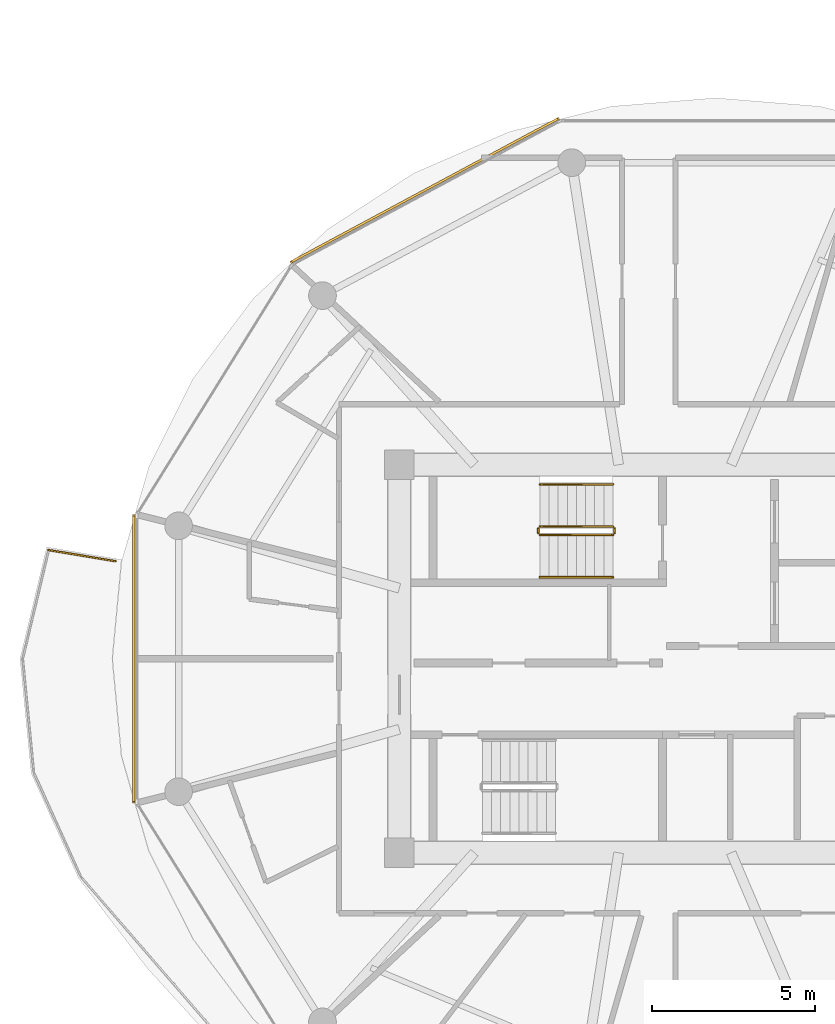
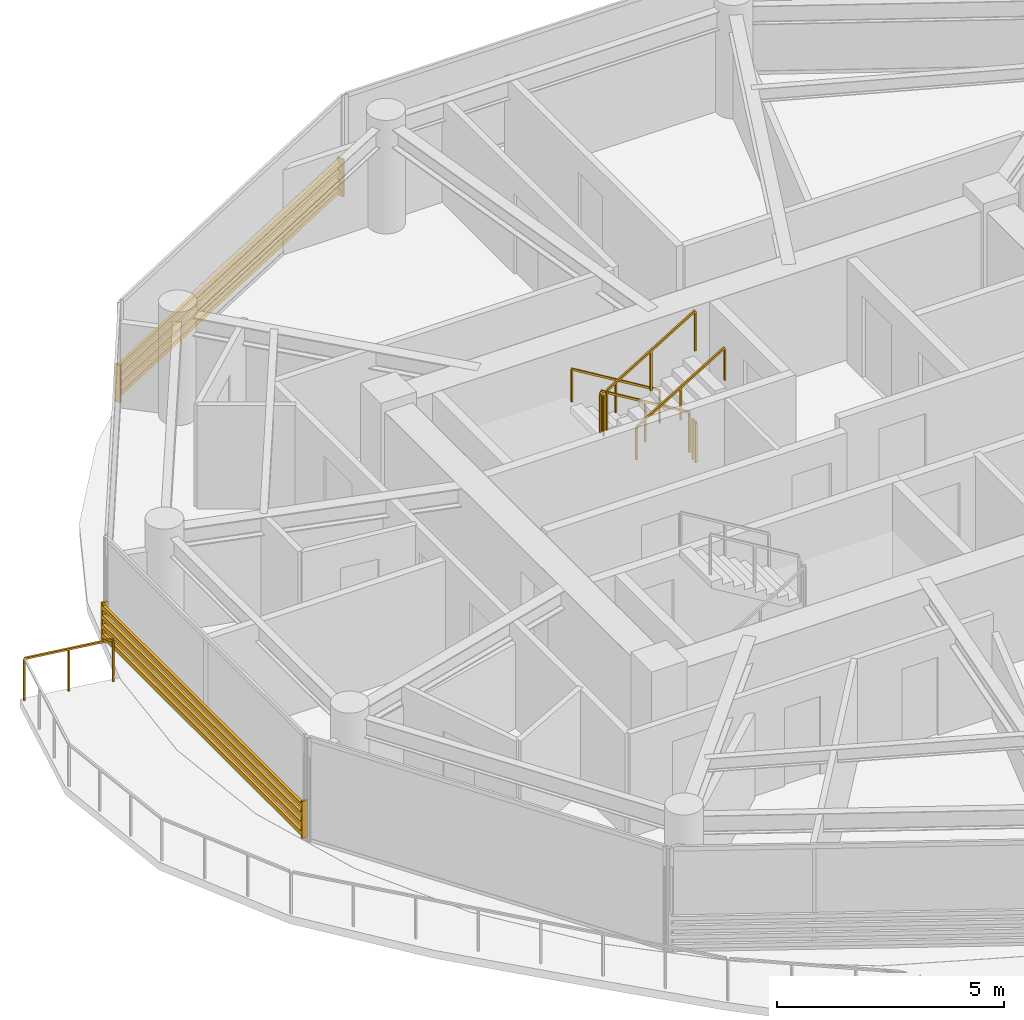
# One storey, part 21 of 24: 7 railings, 2 shading devices.
"""IFC4 building model written with IfcOpenShell, lengths in metres."""

import ifcopenshell
import ifcopenshell.guid

model = None  # the IFC model being written
_history = None  # IfcOwnerHistory: only IFC2X3 demands one
_inside = {}  # id of a spatial element -> (the spatial element, [elements in it])
_under = {}  # id of a project, library or spatial element -> (it, [spatial elements below it])
_declared = {}  # id of a project -> (the project, [libraries it declares])
_typed = {}  # id of a type object -> (the type object, [elements of that type])
_made_of = {}  # id of a material, layer set ... -> (it, [elements and type objects made of it])


def new_model(schema):
    """Start an empty IFC model of exactly this schema.

    Asked for "IFC4X3", IfcOpenShell would pick the latest addendum, in which some entities
    have other attributes; the version numbers below select the first issue.
    IFC2X3 requires an IfcOwnerHistory on every rooted entity: one is made here for all.
    """
    global model, _history
    if schema == "IFC4X3":
        model = ifcopenshell.file(schema_version=(4, 3, 0, 0))
    else:
        model = ifcopenshell.file(schema=schema)
    _inside.clear()
    _under.clear()
    _declared.clear()
    _typed.clear()
    _made_of.clear()
    _history = None
    if model.schema == "IFC2X3":
        org = make("IfcOrganization", Name="unknown")
        user = make(
            "IfcPersonAndOrganization",
            ThePerson=make("IfcPerson", FamilyName="unknown"),
            TheOrganization=org,
        )
        app = make(
            "IfcApplication",
            ApplicationDeveloper=org,
            Version="unknown",
            ApplicationFullName="unknown",
            ApplicationIdentifier="unknown",
        )
        _history = make(
            "IfcOwnerHistory",
            OwningUser=user,
            OwningApplication=app,
            ChangeAction="ADDED",
            CreationDate=0,
        )
    return model


def make(cls, **values):
    """One entity of the class cls with the attributes given. An attribute that is None is left unset."""
    return model.create_entity(
        cls, **{name: value for name, value in values.items() if value is not None}
    )


def rooted(cls, **values):
    """An entity with a GlobalId (a new one), such as an element, a storey or a relation."""
    return make(cls, GlobalId=ifcopenshell.guid.new(), OwnerHistory=_history, **values)


def si_unit(unit_type, name, prefix=None):
    """IfcSIUnit, for example si_unit("LENGTHUNIT", "METRE", prefix="MILLI")."""
    return make("IfcSIUnit", UnitType=unit_type, Prefix=prefix, Name=name)


def assignment(units):
    """IfcUnitAssignment: the units of a project."""
    return None if units is None else make("IfcUnitAssignment", Units=units)


def point(xyz):
    """IfcCartesianPoint."""
    return None if xyz is None else make("IfcCartesianPoint", Coordinates=xyz)


def direction(xyz):
    """IfcDirection."""
    return None if xyz is None else make("IfcDirection", DirectionRatios=xyz)


def frame(location, z_axis=None, x_axis=None):
    """IfcAxis2Placement3D, a coordinate frame: its origin and axes. An axis left out is left unset."""
    return make(
        "IfcAxis2Placement3D",
        Location=point(location),
        Axis=direction(z_axis),
        RefDirection=direction(x_axis),
    )


def frame_2d(location, x_axis=None):
    """IfcAxis2Placement2D, a coordinate frame in the plane: its origin and x axis."""
    return make(
        "IfcAxis2Placement2D", Location=point(location), RefDirection=direction(x_axis)
    )


def origin():
    """The frame at (0, 0, 0) with its axes left unset."""
    return frame((0.0, 0.0, 0.0))


def origin_2d():
    """The frame at (0, 0) in the plane with its x axis left unset."""
    return frame_2d((0.0, 0.0))


def place(relative_to, where):
    """IfcLocalPlacement: puts the frame where relative to a parent placement (None: the world)."""
    return make(
        "IfcLocalPlacement", PlacementRelTo=relative_to, RelativePlacement=where
    )


def context(
    kind, dimensions, precision=None, world=None, true_north=None, identifier=None
):
    """IfcGeometricRepresentationContext, for example the 3D "Model" context."""
    return make(
        "IfcGeometricRepresentationContext",
        ContextIdentifier=identifier,
        ContextType=kind,
        CoordinateSpaceDimension=dimensions,
        Precision=precision,
        WorldCoordinateSystem=world,
        TrueNorth=true_north,
    )


def subcontext(parent, identifier, kind, view, scale=None):
    """IfcGeometricRepresentationSubContext, for example "Body" below "Model"."""
    return make(
        "IfcGeometricRepresentationSubContext",
        ContextIdentifier=identifier,
        ContextType=kind,
        ParentContext=parent,
        TargetScale=scale,
        TargetView=view,
    )


def project(units=None, contexts=None):
    """IfcProject with its units and contexts."""
    return rooted(
        "IfcProject",
        Name="project",
        RepresentationContexts=contexts,
        UnitsInContext=assignment(units),
    )


def spatial(cls, under=None, at=None, **own):
    """A site, building, storey or space (cls), placed at a placement, below another one or the project."""
    s = rooted(cls, ObjectPlacement=at, **own)
    if under is not None:
        _under.setdefault(under.id(), (under, []))[1].append(s)
    return s


def profile(cls, at=None, kind="AREA", **sizes):
    """A parametric profile (cls). Its sizes go by their IFC names, for example OverallWidth=200.0."""
    return make(cls, ProfileType=kind, Position=at, **sizes)


def rectangle(**sizes):
    """IfcRectangleProfileDef."""
    return profile("IfcRectangleProfileDef", **sizes)


def extrude(swept, where, along, depth):
    """IfcExtrudedAreaSolid: the profile swept, set in the frame where, extruded along a direction by depth."""
    return make(
        "IfcExtrudedAreaSolid",
        SweptArea=swept,
        Position=where,
        ExtrudedDirection=direction(along),
        Depth=depth,
    )


def shape(context_of_items, identifier, shape_type, items):
    """IfcShapeRepresentation: the items that make up one representation, for example the "Body"."""
    return make(
        "IfcShapeRepresentation",
        ContextOfItems=context_of_items,
        RepresentationIdentifier=identifier,
        RepresentationType=shape_type,
        Items=items,
    )


def source(mapping_origin, context_of_items, identifier, shape_type, items):
    """IfcRepresentationMap: a shape defined once, which mapped items show again and again."""
    return make(
        "IfcRepresentationMap",
        MappingOrigin=mapping_origin,
        MappedRepresentation=shape(context_of_items, identifier, shape_type, items),
    )


def transform(
    local_origin,
    x_axis=None,
    y_axis=None,
    z_axis=None,
    scale=None,
    scale2=None,
    scale3=None,
    uniform=True,
):
    """IfcCartesianTransformationOperator3D, or its non-uniform kind. x_axis, y_axis, z_axis: its Axis1, 2, 3."""
    if uniform:
        return make(
            "IfcCartesianTransformationOperator3D",
            Axis1=direction(x_axis),
            Axis2=direction(y_axis),
            LocalOrigin=point(local_origin),
            Scale=scale,
            Axis3=direction(z_axis),
        )
    return make(
        "IfcCartesianTransformationOperator3DnonUniform",
        Axis1=direction(x_axis),
        Axis2=direction(y_axis),
        LocalOrigin=point(local_origin),
        Scale=scale,
        Axis3=direction(z_axis),
        Scale2=scale2,
        Scale3=scale3,
    )


def mapped(mapping_source, mapping_target):
    """IfcMappedItem: shows the shape of a source again, moved by a transform."""
    return make(
        "IfcMappedItem", MappingSource=mapping_source, MappingTarget=mapping_target
    )


def material(Name=None, Category=None):
    """IfcMaterial."""
    return make("IfcMaterial", Name=Name, Category=Category)


def made_of(thing, what):
    """Note that an element or type object is made of a material, layer set ...; save() writes the relation."""
    if what is not None:
        _made_of.setdefault(what.id(), (what, []))[1].append(thing)
    return thing


def type_object(cls, material=None, **own):
    """A type object (cls), such as IfcWallType, which elements share."""
    return made_of(rooted(cls, **own), material)


def type_shapes(of_type, sources):
    """Give a type object the sources (RepresentationMaps) that its elements show as mapped items."""
    of_type.RepresentationMaps = sources


def element(
    cls,
    number,
    at=None,
    inside=None,
    cuts=None,
    type_object=None,
    material=None,
    context=None,
    identifier="Body",
    shape_type=None,
    held_by="IfcProductDefinitionShape",
    body=None,
    shapes=None,
    **own,
):
    """One element of the class cls, such as IfcWall. Its Tag is "e" and its number.

    at: its placement. inside: the storey or other place that contains it. cuts: it is an
    opening in that element (IfcRelVoidsElement). A single representation is given by context,
    identifier, shape_type and body (its items); several are given by shapes. held_by: the class
    of the entity that holds the representations. save() writes the other relations.
    """
    e = rooted(cls, Tag="e%d" % number, ObjectPlacement=at, **own)
    if body is not None:
        shapes = [shape(context, identifier, shape_type, body)]
    if shapes is not None:
        e.Representation = make(held_by, Representations=shapes)
    if inside is not None:
        _inside.setdefault(inside.id(), (inside, []))[1].append(e)
    if cuts is not None:
        rooted(
            "IfcRelVoidsElement", RelatingBuildingElement=cuts, RelatedOpeningElement=e
        )
    if type_object is not None:
        _typed.setdefault(type_object.id(), (type_object, []))[1].append(e)
    return made_of(e, material)


def aggregate(whole, parts):
    """IfcRelAggregates: a whole, such as a stair, and the parts it consists of."""
    return rooted("IfcRelAggregates", RelatingObject=whole, RelatedObjects=parts)


def save(model, path):
    """Write the relations noted so far, then the file.

    IfcRelAggregates (storeys below a building ...), IfcRelContainedInSpatialStructure (elements
    in a storey), IfcRelDefinesByType, IfcRelAssociatesMaterial and IfcRelDeclares: one each for
    every whole, place, type object, material and project.
    """
    for whole, parts in _under.values():
        aggregate(whole, parts)
    for where, things in _inside.values():
        rooted(
            "IfcRelContainedInSpatialStructure",
            RelatedElements=things,
            RelatingStructure=where,
        )
    for kind, things in _typed.values():
        rooted("IfcRelDefinesByType", RelatedObjects=things, RelatingType=kind)
    for what, things in _made_of.values():
        rooted("IfcRelAssociatesMaterial", RelatedObjects=things, RelatingMaterial=what)
    for by, libraries in _declared.values():
        rooted("IfcRelDeclares", RelatingContext=by, RelatedDefinitions=libraries)
    model.write(path)


model = new_model("IFC4")

# Units and contexts
model_context = context("Model", 3, precision=1e-05, world=origin(), true_north=direction((0.0, 1.0)))
body_context = subcontext(model_context, "Body", "Model", "MODEL_VIEW")
ifc_project = project(units=[si_unit("LENGTHUNIT", "METRE"), si_unit("AREAUNIT", "SQUARE_METRE"), si_unit("VOLUMEUNIT", "CUBIC_METRE"), si_unit("PLANEANGLEUNIT", "RADIAN"), si_unit("MASSUNIT", "GRAM", prefix="KILO")], contexts=[model_context])

# Site, building, storey
site_placement = place(None, origin())
site = spatial("IfcSite", under=ifc_project, at=site_placement, CompositionType="ELEMENT")
building_placement = place(site_placement, origin())
building = spatial("IfcBuilding", under=site, at=building_placement, Name="Norrkilde Senior Care Towers", CompositionType="ELEMENT")
storey_placement = place(building_placement, frame((0.0, 0.0, 102.35009765625)))
storey = spatial("IfcBuildingStorey", under=building, at=storey_placement, Name="L31", CompositionType="ELEMENT", Elevation=102.35009765625)

# Railings
ifc_material_1 = material(Name="Anodised Aluminium", Category="aluminium")
railing_type_1 = type_object("IfcRailingType", Name="Balcony Swirl Ribbon Guardrail 1150", PredefinedType="GUARDRAIL", material=ifc_material_1)
railing_1_placement = place(storey_placement, frame((-46.4052734375, 3.334228515625, 0.0)))
element("IfcRailing", 1, at=railing_1_placement, inside=storey, type_object=railing_type_1, Name="L31 Perimeter Safety Guard 03", PredefinedType="GUARDRAIL", context=body_context, shape_type="SweptSolid", body=[
    extrude(rectangle(XDim=0.048095703125, YDim=0.048095703125, at=origin_2d()), frame((0.0, 0.0, 1.1259765625), z_axis=(0.986346397807, -0.164683889718, 0.0), x_axis=(0.164683889718, 0.986346397807, 0.0)), (0.0, 0.0, 1.0), 2.08447265625),
    extrude(rectangle(XDim=0.0419921875, YDim=0.0419921875, at=origin_2d()), origin(), (0.0, 0.0, 1.0), 1.099853515625),
    extrude(rectangle(XDim=0.0419921875, YDim=0.0419921875, at=origin_2d()), frame((1.02783203125, -0.171630859375, 0.0)), (0.0, 0.0, 1.0), 1.099853515625),
    extrude(rectangle(XDim=0.0419921875, YDim=0.0419921875, at=origin_2d()), frame((2.055908203125, -0.34326171875, 0.0)), (0.0, 0.0, 1.0), 1.099853515625),
])
ifc_material_2 = material(Name="Stainless Steel", Category="steel")
railing_type_2 = type_object("IfcRailingType", Name="Stair and Terrace Guardrail 1100", PredefinedType="GUARDRAIL", material=ifc_material_2)
railing_2_placement = place(storey_placement, frame((-29.10009765625, 4.050048828125, 0.16943359375)))
element("IfcRailing", 2, at=railing_2_placement, inside=storey, type_object=railing_type_2, Name="L31 ST-W1 stair guard 1", PredefinedType="GUARDRAIL", context=body_context, shape_type="SweptSolid", body=[
    extrude(rectangle(XDim=0.048095703125, YDim=0.048095703125, at=origin_2d()), frame((0.0, 0.0, 1.076171875), z_axis=(-0.855553338991, 0.0, 0.51771467445), x_axis=(0.0, -1.0, 0.0)), (0.0, 0.0, 1.0), 2.6181640625),
    extrude(rectangle(XDim=0.0419921875, YDim=0.0419921875, at=origin_2d()), origin(), (0.0, 0.0, 1.0), 1.050048828125),
    extrude(rectangle(XDim=0.0419921875, YDim=0.0419921875, at=origin_2d()), frame((-1.1201171875, 0.0, 0.677734375)), (0.0, 0.0, 1.0), 1.050048828125),
    extrude(rectangle(XDim=0.0419921875, YDim=0.0419921875, at=origin_2d()), frame((-2.239990234375, 0.0, 1.35546875)), (0.0, 0.0, 1.0), 1.050048828125),
])
railing_3_placement = place(storey_placement, frame((-31.389892578125, 4.0, 1.52490234375)))
element("IfcRailing", 3, at=railing_3_placement, inside=storey, type_object=railing_type_2, Name="L31 ST-W1 stair guard 2", PredefinedType="GUARDRAIL", context=body_context, shape_type="SweptSolid", body=[
    extrude(rectangle(XDim=0.048095703125, YDim=0.048095703125, at=origin_2d()), frame((0.0, 0.0, 1.076171875), z_axis=(0.0, -1.0, 0.0), x_axis=(1.0, 0.0, 0.0)), (0.0, 0.0, 1.0), 0.14990234375),
    extrude(rectangle(XDim=0.0419921875, YDim=0.0419921875, at=origin_2d()), origin(), (0.0, 0.0, 1.0), 1.050048828125),
    extrude(rectangle(XDim=0.0419921875, YDim=0.0419921875, at=origin_2d()), frame((0.0, -0.14990234375, 0.0)), (0.0, 0.0, 1.0), 1.050048828125),
])
railing_4_placement = place(storey_placement, frame((-31.340087890625, 3.800048828125, 1.6943359375)))
element("IfcRailing", 4, at=railing_4_placement, inside=storey, type_object=railing_type_2, Name="L31 ST-W1 stair guard 3", PredefinedType="GUARDRAIL", context=body_context, shape_type="SweptSolid", body=[
    extrude(rectangle(XDim=0.048095703125, YDim=0.048095703125, at=origin_2d()), frame((0.0, 0.0, 1.076171875), z_axis=(0.855553338991, 0.0, 0.51771467445), x_axis=(0.0, 1.0, 0.0)), (0.0, 0.0, 1.0), 2.6181640625),
    extrude(rectangle(XDim=0.0419921875, YDim=0.0419921875, at=origin_2d()), origin(), (0.0, 0.0, 1.0), 1.050048828125),
    extrude(rectangle(XDim=0.0419921875, YDim=0.0419921875, at=origin_2d()), frame((1.1201171875, 0.0, 0.677734375)), (0.0, 0.0, 1.0), 1.050048828125),
    extrude(rectangle(XDim=0.0419921875, YDim=0.0419921875, at=origin_2d()), frame((2.239990234375, 0.0, 1.35546875)), (0.0, 0.0, 1.0), 1.050048828125),
])
railing_5_placement = place(storey_placement, frame((-29.050048828125, 4.0, 0.0)))
element("IfcRailing", 5, at=railing_5_placement, inside=storey, type_object=railing_type_2, Name="L31 ST-W1 stair guard 4", PredefinedType="GUARDRAIL", context=body_context, shape_type="SweptSolid", body=[
    extrude(rectangle(XDim=0.048095703125, YDim=0.048095703125, at=origin_2d()), frame((0.0, 0.0, 1.076171875), z_axis=(0.0, -1.0, 0.0), x_axis=(1.0, 0.0, 0.0)), (0.0, 0.0, 1.0), 0.14990234375),
    extrude(rectangle(XDim=0.0419921875, YDim=0.0419921875, at=origin_2d()), origin(), (0.0, 0.0, 1.0), 1.050048828125),
    extrude(rectangle(XDim=0.0419921875, YDim=0.0419921875, at=origin_2d()), frame((0.0, -0.14990234375, 0.0)), (0.0, 0.0, 1.0), 1.050048828125),
])
ifc_material_3 = material(Name="Nordic Ash Timber", Category="wood")
railing_type_3 = type_object("IfcRailingType", Name="Wall and Stair Handrail 900", PredefinedType="HANDRAIL", material=ifc_material_3)
railing_6_placement = place(storey_placement, frame((-29.10009765625, 5.35009765625, 0.16943359375)))
element("IfcRailing", 6, at=railing_6_placement, inside=storey, type_object=railing_type_3, Name="L31 ST-W1 stair handrail 1", PredefinedType="HANDRAIL", context=body_context, shape_type="SweptSolid", body=[
    extrude(rectangle(XDim=0.048095703125, YDim=0.048095703125, at=origin_2d()), frame((0.0, 0.0, 0.8759765625), z_axis=(-0.855553338991, 0.0, 0.51771467445), x_axis=(0.0, -1.0, 0.0)), (0.0, 0.0, 1.0), 2.6181640625),
    extrude(rectangle(XDim=0.0419921875, YDim=0.0419921875, at=origin_2d()), origin(), (0.0, 0.0, 1.0), 0.849853515625),
    extrude(rectangle(XDim=0.0419921875, YDim=0.0419921875, at=origin_2d()), frame((-1.1201171875, 0.0, 0.677734375)), (0.0, 0.0, 1.0), 0.849853515625),
    extrude(rectangle(XDim=0.0419921875, YDim=0.0419921875, at=origin_2d()), frame((-2.239990234375, 0.0, 1.35546875)), (0.0, 0.0, 1.0), 0.849853515625),
])
railing_7_placement = place(storey_placement, frame((-31.340087890625, 2.5, 1.6943359375)))
element("IfcRailing", 7, at=railing_7_placement, inside=storey, type_object=railing_type_3, Name="L31 ST-W1 stair handrail 2", PredefinedType="HANDRAIL", context=body_context, shape_type="SweptSolid", body=[
    extrude(rectangle(XDim=0.048095703125, YDim=0.048095703125, at=origin_2d()), frame((0.0, 0.0, 0.8759765625), z_axis=(0.855553338991, 0.0, 0.51771467445), x_axis=(0.0, 1.0, 0.0)), (0.0, 0.0, 1.0), 2.6181640625),
    extrude(rectangle(XDim=0.0419921875, YDim=0.0419921875, at=origin_2d()), origin(), (0.0, 0.0, 1.0), 0.849853515625),
    extrude(rectangle(XDim=0.0419921875, YDim=0.0419921875, at=origin_2d()), frame((1.1201171875, 0.0, 0.677734375)), (0.0, 0.0, 1.0), 0.849853515625),
    extrude(rectangle(XDim=0.0419921875, YDim=0.0419921875, at=origin_2d()), frame((2.239990234375, 0.0, 1.35546875)), (0.0, 0.0, 1.0), 0.849853515625),
])

# Shading devices
ifc_material_4 = material(Name="Architectural Terracotta", Category="masonry")
shading_device_type = type_object("IfcShadingDeviceType", Name="Horizontal Terracotta Baguette Rack", PredefinedType="USERDEFINED", material=ifc_material_4)
shared_shape_1 = source(origin(), body_context, "Body", "SweptSolid", [
    extrude(rectangle(XDim=0.070068359375, YDim=0.110107421875, at=origin_2d()), frame((0.0, 0.090087890625, 0.125), z_axis=(1.0, 0.0, 0.0), x_axis=(0.0, 1.0, 0.0)), (0.0, 0.0, 1.0), 9.3505859375),
    extrude(rectangle(XDim=0.070068359375, YDim=0.110107421875, at=origin_2d()), frame((0.0, 0.090087890625, 0.375), z_axis=(1.0, 0.0, 0.0), x_axis=(0.0, 1.0, 0.0)), (0.0, 0.0, 1.0), 9.3505859375),
    extrude(rectangle(XDim=0.070068359375, YDim=0.110107421875, at=origin_2d()), frame((0.0, 0.090087890625, 0.625), z_axis=(1.0, 0.0, 0.0), x_axis=(0.0, 1.0, 0.0)), (0.0, 0.0, 1.0), 9.3505859375),
    extrude(rectangle(XDim=0.070068359375, YDim=0.110107421875, at=origin_2d()), frame((0.0, 0.090087890625, 0.875), z_axis=(1.0, 0.0, 0.0), x_axis=(0.0, 1.0, 0.0)), (0.0, 0.0, 1.0), 9.3505859375),
    extrude(rectangle(XDim=0.050048828125, YDim=0.1552734375, at=origin_2d()), frame((0.02490234375, 0.047607421875, 0.0)), (0.0, 0.0, 1.0), 1.0),
    extrude(rectangle(XDim=0.050048828125, YDim=0.1552734375, at=origin_2d()), frame((9.32568359375, 0.047607421875, 0.0)), (0.0, 0.0, 1.0), 1.0),
])
shading_device_1_placement = place(storey_placement, frame((-38.946533203125, 12.077392578125, 0.079833984375), z_axis=(0.0, 0.0, 1.0), x_axis=(0.881174934726, 0.472767624021, 0.0)))
element("IfcShadingDevice", 8, at=shading_device_1_placement, inside=storey, type_object=shading_device_type, Name="L31 Drum W Terracotta Baguette Screen 03", ObjectType="BAGUETTE", PredefinedType="USERDEFINED", context=body_context, shape_type="MappedRepresentation", body=[
    mapped(shared_shape_1, transform((0.0, 0.0, 0.0), x_axis=(1.0, 0.0, 0.0), y_axis=(0.0, 1.0, 0.0), z_axis=(0.0, 0.0, 1.0), scale=1.0)),
])
shared_shape_2 = source(origin(), body_context, "Body", "SweptSolid", [
    extrude(rectangle(XDim=0.070068359375, YDim=0.110107421875, at=origin_2d()), frame((0.0, 0.090087890625, 0.125), z_axis=(1.0, 0.0, 0.0), x_axis=(0.0, 1.0, 0.0)), (0.0, 0.0, 1.0), 8.84130859375),
    extrude(rectangle(XDim=0.070068359375, YDim=0.110107421875, at=origin_2d()), frame((0.0, 0.090087890625, 0.375), z_axis=(1.0, 0.0, 0.0), x_axis=(0.0, 1.0, 0.0)), (0.0, 0.0, 1.0), 8.84130859375),
    extrude(rectangle(XDim=0.070068359375, YDim=0.110107421875, at=origin_2d()), frame((0.0, 0.090087890625, 0.625), z_axis=(1.0, 0.0, 0.0), x_axis=(0.0, 1.0, 0.0)), (0.0, 0.0, 1.0), 8.84130859375),
    extrude(rectangle(XDim=0.070068359375, YDim=0.110107421875, at=origin_2d()), frame((0.0, 0.090087890625, 0.875), z_axis=(1.0, 0.0, 0.0), x_axis=(0.0, 1.0, 0.0)), (0.0, 0.0, 1.0), 8.84130859375),
    extrude(rectangle(XDim=0.050048828125, YDim=0.1552734375, at=origin_2d()), frame((0.02490234375, 0.047607421875, 0.0)), (0.0, 0.0, 1.0), 1.0),
    extrude(rectangle(XDim=0.050048828125, YDim=0.1552734375, at=origin_2d()), frame((8.81640625, 0.047607421875, 0.0)), (0.0, 0.0, 1.0), 1.0),
])
type_shapes(shading_device_type, [shared_shape_1, shared_shape_2])
shading_device_2_placement = place(storey_placement, frame((-43.70361328125, -4.420654296875, 0.079833984375), z_axis=(0.0, 0.0, 1.0), x_axis=(0.0, 1.0, 0.0)))
element("IfcShadingDevice", 9, at=shading_device_2_placement, inside=storey, type_object=shading_device_type, Name="L31 Drum W Terracotta Baguette Screen 05", ObjectType="BAGUETTE", PredefinedType="USERDEFINED", context=body_context, shape_type="MappedRepresentation", body=[
    mapped(shared_shape_2, transform((0.0, 0.0, 0.0), x_axis=(1.0, 0.0, 0.0), y_axis=(0.0, 1.0, 0.0), z_axis=(0.0, 0.0, 1.0), scale=1.0)),
])

save(model, "model.ifc")
